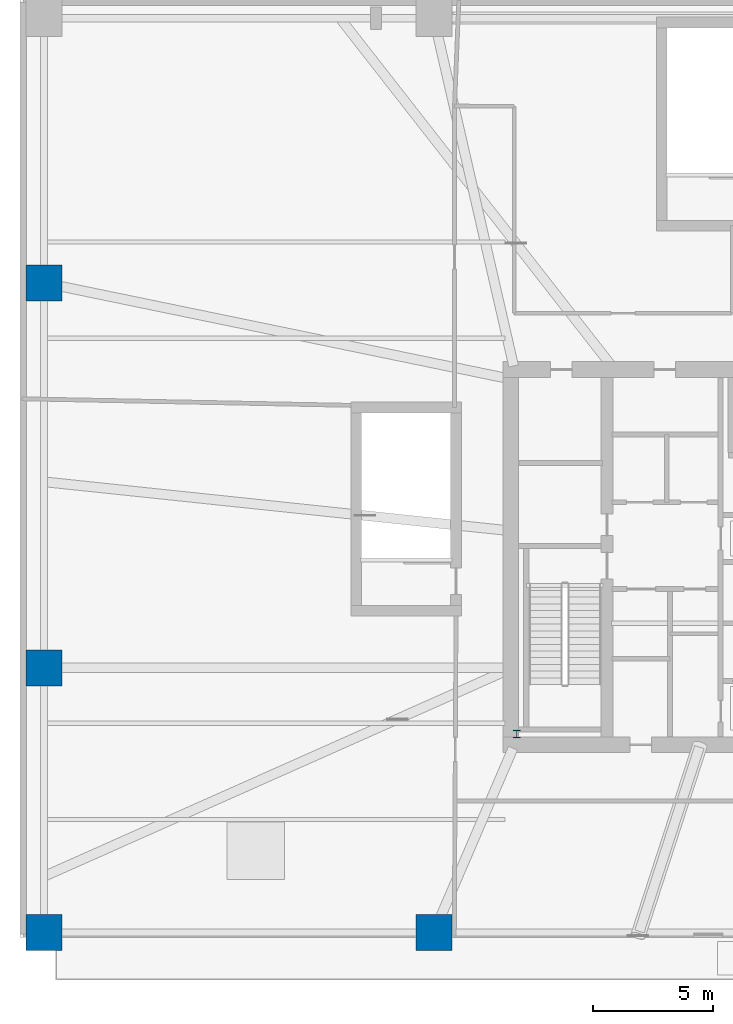
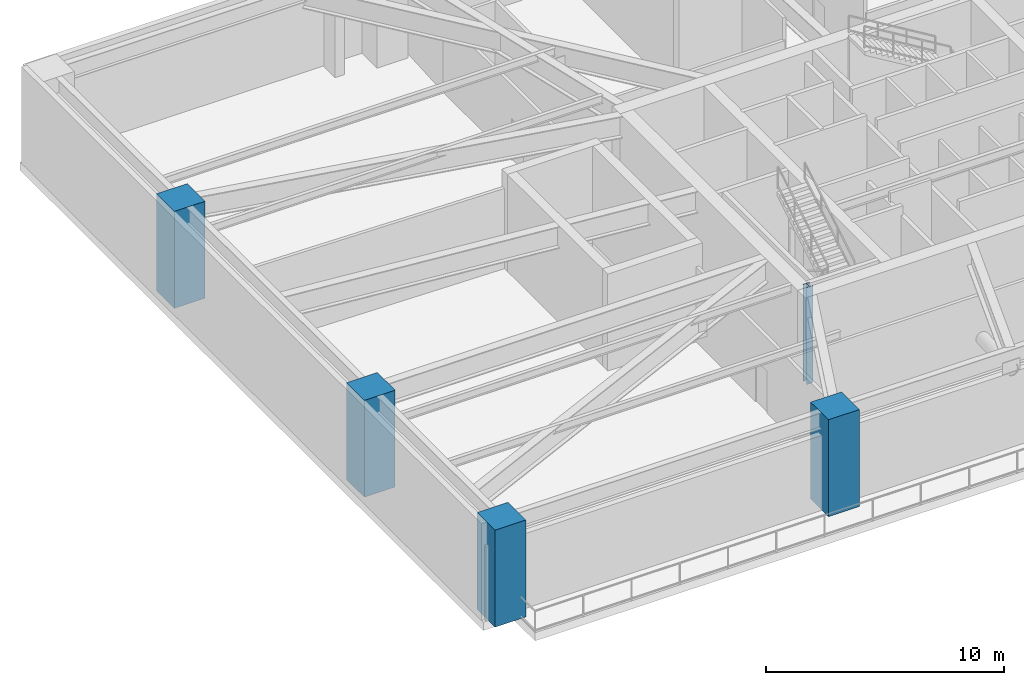
# One storey, part 1 of 10: 5 columns.
"""IFC4 building model written with IfcOpenShell, lengths in metres."""

from ifc_helpers import new_model, si_unit, direction, frame, origin, origin_2d, place, context, subcontext, project, spatial, rectangle, i_section, extrude, material, material_profile, profile_set, type_object, element, save


model = new_model("IFC4")

# Units and contexts
model_context = context("Model", 3, precision=1e-05, world=origin(), true_north=direction((0.0, 1.0)))
body_context = subcontext(model_context, "Body", "Model", "MODEL_VIEW")
ifc_project = project(units=[si_unit("LENGTHUNIT", "METRE"), si_unit("AREAUNIT", "SQUARE_METRE"), si_unit("VOLUMEUNIT", "CUBIC_METRE"), si_unit("PLANEANGLEUNIT", "RADIAN"), si_unit("MASSUNIT", "GRAM", prefix="KILO")], contexts=[model_context])

# Site, building, storey
site_placement = place(None, origin())
site = spatial("IfcSite", under=ifc_project, at=site_placement, CompositionType="ELEMENT")
building_placement = place(site_placement, origin())
building = spatial("IfcBuilding", under=site, at=building_placement, Name="Qarnah Convention Tower", CompositionType="ELEMENT")
storey_placement = place(building_placement, frame((0.0, 0.0, 21.60009765625)))
storey = spatial("IfcBuildingStorey", under=building, at=storey_placement, Name="L04", CompositionType="ELEMENT", Elevation=21.60009765625)

# Columns
ifc_material_1 = material(Name="Concrete C60/75", Category="concrete")
ifc_material_profile_1 = material_profile(ifc_material_1, rectangle(XDim=1.5, YDim=1.5, at=origin_2d()), Name="RC-COL-1500X1500")
ifc_profile_set_1 = profile_set([ifc_material_profile_1], Name="Concrete C60/75")
column_type_1 = type_object("IfcColumnType", Name="COL-MC1500", PredefinedType="COLUMN", material=ifc_profile_set_1)
for number, where, z_axis, x_axis, name in (
    (1, (7.39990234375, 10.800048828125, 0.0), (0.0, 0.0, 1.0), (1.0, 0.0, 0.0), "L04 plumb column MC-01"),
    (2, (23.60009765625, 10.800048828125, 0.0), (0.0, 0.0, 1.0), (1.0, 0.0, 0.0), "L04 plumb column MC-02"),
    (3, (7.39990234375, 37.800048828125, 0.0), (0.0, 0.0, 1.0), (1.0, 0.0, 0.0), "L04 plumb column MC-11"),
    (4, (7.39990234375, 21.800048828125, 0.0), (0.0, 0.0, 1.0), (1.0, 0.0, 0.0), "L04 plumb column MC-12"),
):
    element("IfcColumn", number, at=place(storey_placement, frame(where, z_axis=z_axis, x_axis=x_axis)), inside=storey, type_object=column_type_1, Name=name, PredefinedType="COLUMN", context=body_context, shape_type="SweptSolid", body=[
        extrude(rectangle(XDim=1.5, YDim=1.5, at=origin_2d()), origin(), (0.0, 0.0, 1.0), 4.97998046875),
    ])
ifc_material_2 = material(Name="Structural steel S355JR", Category="steel")
ifc_material_profile_2 = material_profile(ifc_material_2, i_section(OverallWidth=0.300048828125, OverallDepth=0.300048828125, WebThickness=0.010986328125, FlangeThickness=0.01904296875, at=origin_2d()), Name="HEB300")
ifc_profile_set_2 = profile_set([ifc_material_profile_2], Name="Structural steel S355JR")
column_type_2 = type_object("IfcColumnType", Name="PIL-SHF-300", PredefinedType="PILASTER", material=ifc_profile_set_2)
column_placement = place(storey_placement, frame((27.050048828125, 19.050048828125, 0.0), z_axis=(0.0, 0.0, 1.0), x_axis=(1.0, 0.0, 0.0)))
element("IfcColumn", 5, at=column_placement, inside=storey, type_object=column_type_2, Name="L04 core spine steel pilaster 1", PredefinedType="PILASTER", context=body_context, shape_type="SweptSolid", body=[
    extrude(i_section(OverallWidth=0.300048828125, OverallDepth=0.300048828125, WebThickness=0.010986328125, FlangeThickness=0.01904296875, at=origin_2d()), origin(), (0.0, 0.0, 1.0), 4.97998046875),
])

save(model, "model.ifc")
